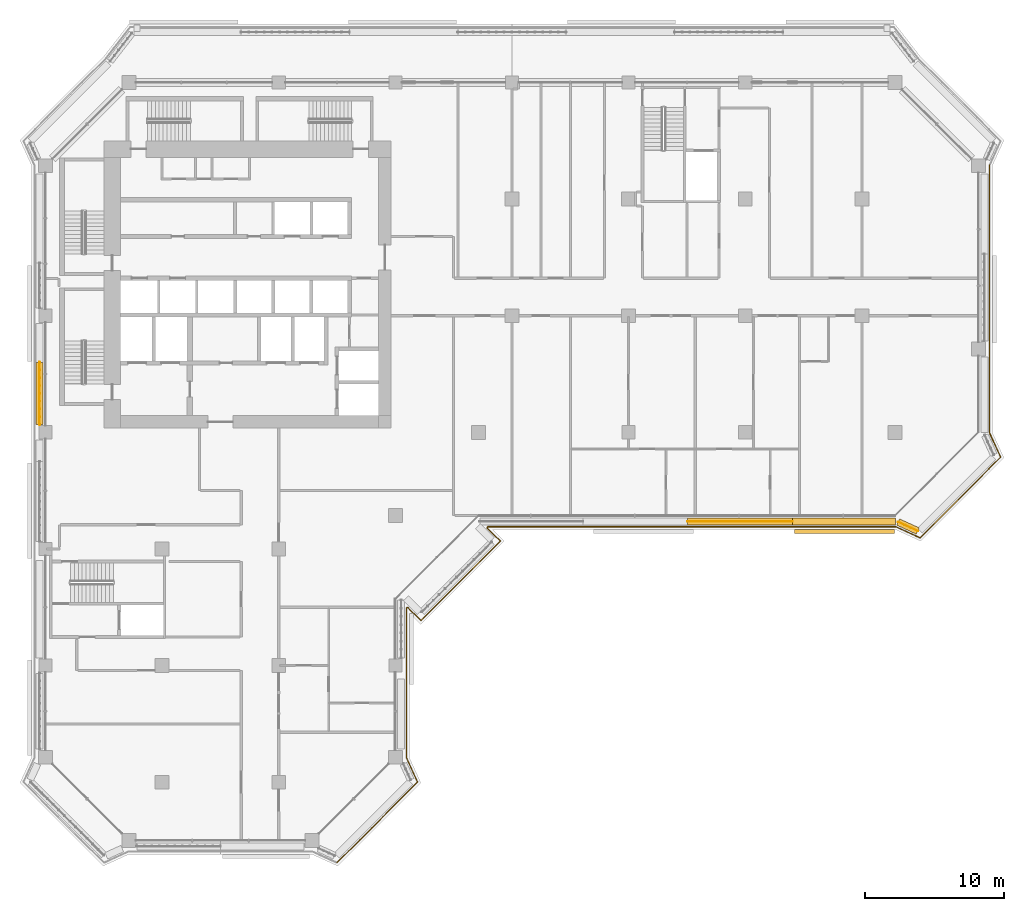
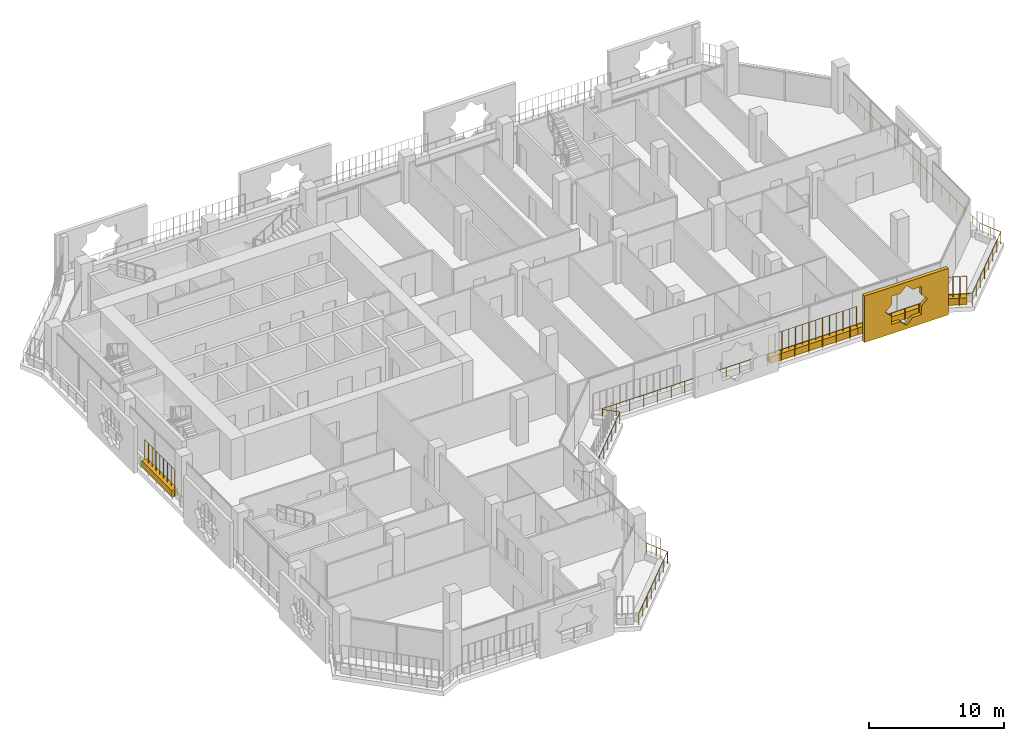
# One storey, part 19 of 22: 5 coverings, 4 railings.
"""IFC4 building model written with IfcOpenShell, lengths in metres."""

import ifcopenshell
import ifcopenshell.guid

model = None  # the IFC model being written
_history = None  # IfcOwnerHistory: only IFC2X3 demands one
_inside = {}  # id of a spatial element -> (the spatial element, [elements in it])
_under = {}  # id of a project, library or spatial element -> (it, [spatial elements below it])
_declared = {}  # id of a project -> (the project, [libraries it declares])
_typed = {}  # id of a type object -> (the type object, [elements of that type])
_made_of = {}  # id of a material, layer set ... -> (it, [elements and type objects made of it])


def new_model(schema):
    """Start an empty IFC model of exactly this schema.

    Asked for "IFC4X3", IfcOpenShell would pick the latest addendum, in which some entities
    have other attributes; the version numbers below select the first issue.
    IFC2X3 requires an IfcOwnerHistory on every rooted entity: one is made here for all.
    """
    global model, _history
    if schema == "IFC4X3":
        model = ifcopenshell.file(schema_version=(4, 3, 0, 0))
    else:
        model = ifcopenshell.file(schema=schema)
    _inside.clear()
    _under.clear()
    _declared.clear()
    _typed.clear()
    _made_of.clear()
    _history = None
    if model.schema == "IFC2X3":
        org = make("IfcOrganization", Name="unknown")
        user = make(
            "IfcPersonAndOrganization",
            ThePerson=make("IfcPerson", FamilyName="unknown"),
            TheOrganization=org,
        )
        app = make(
            "IfcApplication",
            ApplicationDeveloper=org,
            Version="unknown",
            ApplicationFullName="unknown",
            ApplicationIdentifier="unknown",
        )
        _history = make(
            "IfcOwnerHistory",
            OwningUser=user,
            OwningApplication=app,
            ChangeAction="ADDED",
            CreationDate=0,
        )
    return model


def make(cls, **values):
    """One entity of the class cls with the attributes given. An attribute that is None is left unset."""
    return model.create_entity(
        cls, **{name: value for name, value in values.items() if value is not None}
    )


def rooted(cls, **values):
    """An entity with a GlobalId (a new one), such as an element, a storey or a relation."""
    return make(cls, GlobalId=ifcopenshell.guid.new(), OwnerHistory=_history, **values)


def si_unit(unit_type, name, prefix=None):
    """IfcSIUnit, for example si_unit("LENGTHUNIT", "METRE", prefix="MILLI")."""
    return make("IfcSIUnit", UnitType=unit_type, Prefix=prefix, Name=name)


def assignment(units):
    """IfcUnitAssignment: the units of a project."""
    return None if units is None else make("IfcUnitAssignment", Units=units)


def point(xyz):
    """IfcCartesianPoint."""
    return None if xyz is None else make("IfcCartesianPoint", Coordinates=xyz)


def direction(xyz):
    """IfcDirection."""
    return None if xyz is None else make("IfcDirection", DirectionRatios=xyz)


def frame(location, z_axis=None, x_axis=None):
    """IfcAxis2Placement3D, a coordinate frame: its origin and axes. An axis left out is left unset."""
    return make(
        "IfcAxis2Placement3D",
        Location=point(location),
        Axis=direction(z_axis),
        RefDirection=direction(x_axis),
    )


def frame_2d(location, x_axis=None):
    """IfcAxis2Placement2D, a coordinate frame in the plane: its origin and x axis."""
    return make(
        "IfcAxis2Placement2D", Location=point(location), RefDirection=direction(x_axis)
    )


def origin():
    """The frame at (0, 0, 0) with its axes left unset."""
    return frame((0.0, 0.0, 0.0))


def origin_2d():
    """The frame at (0, 0) in the plane with its x axis left unset."""
    return frame_2d((0.0, 0.0))


def place(relative_to, where):
    """IfcLocalPlacement: puts the frame where relative to a parent placement (None: the world)."""
    return make(
        "IfcLocalPlacement", PlacementRelTo=relative_to, RelativePlacement=where
    )


def context(
    kind, dimensions, precision=None, world=None, true_north=None, identifier=None
):
    """IfcGeometricRepresentationContext, for example the 3D "Model" context."""
    return make(
        "IfcGeometricRepresentationContext",
        ContextIdentifier=identifier,
        ContextType=kind,
        CoordinateSpaceDimension=dimensions,
        Precision=precision,
        WorldCoordinateSystem=world,
        TrueNorth=true_north,
    )


def subcontext(parent, identifier, kind, view, scale=None):
    """IfcGeometricRepresentationSubContext, for example "Body" below "Model"."""
    return make(
        "IfcGeometricRepresentationSubContext",
        ContextIdentifier=identifier,
        ContextType=kind,
        ParentContext=parent,
        TargetScale=scale,
        TargetView=view,
    )


def project(units=None, contexts=None):
    """IfcProject with its units and contexts."""
    return rooted(
        "IfcProject",
        Name="project",
        RepresentationContexts=contexts,
        UnitsInContext=assignment(units),
    )


def spatial(cls, under=None, at=None, **own):
    """A site, building, storey or space (cls), placed at a placement, below another one or the project."""
    s = rooted(cls, ObjectPlacement=at, **own)
    if under is not None:
        _under.setdefault(under.id(), (under, []))[1].append(s)
    return s


def polyline(points):
    """IfcPolyline through the points."""
    return make("IfcPolyline", Points=[point(p) for p in points])


def profile(cls, at=None, kind="AREA", **sizes):
    """A parametric profile (cls). Its sizes go by their IFC names, for example OverallWidth=200.0."""
    return make(cls, ProfileType=kind, Position=at, **sizes)


def rectangle(**sizes):
    """IfcRectangleProfileDef."""
    return profile("IfcRectangleProfileDef", **sizes)


def circle(**sizes):
    """IfcCircleProfileDef."""
    return profile("IfcCircleProfileDef", **sizes)


def outline(outer, holes=None, kind="AREA"):
    """IfcArbitraryClosedProfileDef: a profile drawn as a closed curve; with holes, ...WithVoids."""
    if holes is None:
        return make("IfcArbitraryClosedProfileDef", ProfileType=kind, OuterCurve=outer)
    return make(
        "IfcArbitraryProfileDefWithVoids",
        ProfileType=kind,
        OuterCurve=outer,
        InnerCurves=holes,
    )


def extrude(swept, where, along, depth):
    """IfcExtrudedAreaSolid: the profile swept, set in the frame where, extruded along a direction by depth."""
    return make(
        "IfcExtrudedAreaSolid",
        SweptArea=swept,
        Position=where,
        ExtrudedDirection=direction(along),
        Depth=depth,
    )


def shape(context_of_items, identifier, shape_type, items):
    """IfcShapeRepresentation: the items that make up one representation, for example the "Body"."""
    return make(
        "IfcShapeRepresentation",
        ContextOfItems=context_of_items,
        RepresentationIdentifier=identifier,
        RepresentationType=shape_type,
        Items=items,
    )


def material(Name=None, Category=None):
    """IfcMaterial."""
    return make("IfcMaterial", Name=Name, Category=Category)


def material_profile(
    of_material, cross_section, Name=None, Category=None, Priority=None
):
    """IfcMaterialProfile: a cross section and its material."""
    return make(
        "IfcMaterialProfile",
        Name=Name,
        Material=of_material,
        Profile=cross_section,
        Priority=Priority,
        Category=Category,
    )


def profile_set(profiles, Name=None, composite=None):
    """IfcMaterialProfileSet."""
    return make(
        "IfcMaterialProfileSet",
        Name=Name,
        MaterialProfiles=profiles,
        CompositeProfile=composite,
    )


def made_of(thing, what):
    """Note that an element or type object is made of a material, layer set ...; save() writes the relation."""
    if what is not None:
        _made_of.setdefault(what.id(), (what, []))[1].append(thing)
    return thing


def type_object(cls, material=None, **own):
    """A type object (cls), such as IfcWallType, which elements share."""
    return made_of(rooted(cls, **own), material)


def element(
    cls,
    number,
    at=None,
    inside=None,
    cuts=None,
    type_object=None,
    material=None,
    context=None,
    identifier="Body",
    shape_type=None,
    held_by="IfcProductDefinitionShape",
    body=None,
    shapes=None,
    **own,
):
    """One element of the class cls, such as IfcWall. Its Tag is "e" and its number.

    at: its placement. inside: the storey or other place that contains it. cuts: it is an
    opening in that element (IfcRelVoidsElement). A single representation is given by context,
    identifier, shape_type and body (its items); several are given by shapes. held_by: the class
    of the entity that holds the representations. save() writes the other relations.
    """
    e = rooted(cls, Tag="e%d" % number, ObjectPlacement=at, **own)
    if body is not None:
        shapes = [shape(context, identifier, shape_type, body)]
    if shapes is not None:
        e.Representation = make(held_by, Representations=shapes)
    if inside is not None:
        _inside.setdefault(inside.id(), (inside, []))[1].append(e)
    if cuts is not None:
        rooted(
            "IfcRelVoidsElement", RelatingBuildingElement=cuts, RelatedOpeningElement=e
        )
    if type_object is not None:
        _typed.setdefault(type_object.id(), (type_object, []))[1].append(e)
    return made_of(e, material)


def aggregate(whole, parts):
    """IfcRelAggregates: a whole, such as a stair, and the parts it consists of."""
    return rooted("IfcRelAggregates", RelatingObject=whole, RelatedObjects=parts)


def save(model, path):
    """Write the relations noted so far, then the file.

    IfcRelAggregates (storeys below a building ...), IfcRelContainedInSpatialStructure (elements
    in a storey), IfcRelDefinesByType, IfcRelAssociatesMaterial and IfcRelDeclares: one each for
    every whole, place, type object, material and project.
    """
    for whole, parts in _under.values():
        aggregate(whole, parts)
    for where, things in _inside.values():
        rooted(
            "IfcRelContainedInSpatialStructure",
            RelatedElements=things,
            RelatingStructure=where,
        )
    for kind, things in _typed.values():
        rooted("IfcRelDefinesByType", RelatedObjects=things, RelatingType=kind)
    for what, things in _made_of.values():
        rooted("IfcRelAssociatesMaterial", RelatedObjects=things, RelatingMaterial=what)
    for by, libraries in _declared.values():
        rooted("IfcRelDeclares", RelatingContext=by, RelatedDefinitions=libraries)
    model.write(path)


model = new_model("IFC4")

# Units and contexts
model_context = context("Model", 3, precision=1e-05, world=origin(), true_north=direction((0.0, 1.0)))
body_context = subcontext(model_context, "Body", "Model", "MODEL_VIEW")
ifc_project = project(units=[si_unit("LENGTHUNIT", "METRE"), si_unit("AREAUNIT", "SQUARE_METRE"), si_unit("VOLUMEUNIT", "CUBIC_METRE"), si_unit("PLANEANGLEUNIT", "RADIAN"), si_unit("MASSUNIT", "GRAM", prefix="KILO")], contexts=[model_context])

# Site, building, storey
site_placement = place(None, origin())
site = spatial("IfcSite", under=ifc_project, at=site_placement, CompositionType="ELEMENT")
building_placement = place(site_placement, origin())
building = spatial("IfcBuilding", under=site, at=building_placement, Name="Kawkab Arch Medical Tower", CompositionType="ELEMENT")
storey_placement = place(building_placement, frame((0.0, 0.0, 204.60009765625)))
storey = spatial("IfcBuildingStorey", under=building, at=storey_placement, Name="L47", CompositionType="ELEMENT", Elevation=204.60009765625)

# Railing
ifc_material_1 = material(Name="Bronze anodised aluminium guard", Category="aluminium")
railing_type_1 = type_object("IfcRailingType", Name="Loggia and terrace guard 1100", PredefinedType="GUARDRAIL", material=ifc_material_1)
railing_1_placement = place(storey_placement, frame((68.0, -5.95703125, 0.0)))
element("IfcRailing", 1, at=railing_1_placement, inside=storey, type_object=railing_type_1, Name="Guard L47.LOG-01.1.2", PredefinedType="GUARDRAIL", context=body_context, shape_type="SweptSolid", body=[
    extrude(circle(Radius=0.02392578125, at=origin_2d()), frame((0.0, 0.0, 1.076171875), z_axis=(0.0, -1.0, 0.0), x_axis=(1.0, 0.0, 0.0)), (0.0, 0.0, 1.0), 19.285888671875),
    extrude(circle(Radius=0.02392578125, at=origin_2d()), frame((0.0, -19.285888671875, 1.076171875), z_axis=(0.414509773934, -0.910044860056, 0.0), x_axis=(0.910044860056, 0.414509773934, 0.0)), (0.0, 0.0, 1.0), 1.92529296875),
    extrude(circle(Radius=0.02392578125, at=origin_2d()), frame((0.798095703125, -21.0380859375, 1.076171875), z_axis=(-0.707106781187, -0.707106781187, 0.0), x_axis=(0.707106781187, -0.707106781187, 0.0)), (0.0, 0.0, 1.0), 8.20654296875),
    extrude(circle(Radius=0.02392578125, at=origin_2d()), frame((-5.0048828125, -26.841064453125, 1.076171875), z_axis=(-0.910044860056, 0.414509773934, 0.0), x_axis=(-0.414509773934, -0.910044860056, 0.0)), (0.0, 0.0, 1.0), 1.92529296875),
    extrude(circle(Radius=0.02392578125, at=origin_2d()), frame((-6.757080078125, -26.04296875, 1.076171875), z_axis=(-1.0, 0.0, 0.0), x_axis=(0.0, -1.0, 0.0)), (0.0, 0.0, 1.0), 29.392822265625),
    extrude(circle(Radius=0.02392578125, at=origin_2d()), frame((-36.14990234375, -26.04296875, 1.076171875), z_axis=(-0.383763674343, -0.923431341387, 0.0), x_axis=(0.923431341387, -0.383763674343, 0.0)), (0.0, 0.0, 1.0), 0.101806640625),
    extrude(circle(Radius=0.02392578125, at=origin_2d()), frame((-36.18896484375, -26.136962890625, 1.076171875), z_axis=(0.707015335112, -0.707198215437, 0.0), x_axis=(0.707198215437, 0.707015335112, 0.0)), (0.0, 0.0, 1.0), 1.3349609375),
    extrude(circle(Radius=0.02392578125, at=origin_2d()), frame((-35.2451171875, -27.0810546875, 1.076171875), z_axis=(-0.707106781187, -0.707106781187, 0.0), x_axis=(0.707106781187, -0.707106781187, 0.0)), (0.0, 0.0, 1.0), 8.084716796875),
    extrude(circle(Radius=0.02392578125, at=origin_2d()), frame((-40.9619140625, -32.7978515625, 1.076171875), z_axis=(-0.707198215437, 0.707015335112, 0.0), x_axis=(-0.707015335112, -0.707198215437, 0.0)), (0.0, 0.0, 1.0), 1.3349609375),
    extrude(circle(Radius=0.02392578125, at=origin_2d()), frame((-41.906005859375, -31.85400390625, 1.076171875), z_axis=(-0.923431341387, -0.383763674343, 0.0), x_axis=(0.383763674343, -0.923431341387, 0.0)), (0.0, 0.0, 1.0), 0.101806640625),
    extrude(circle(Radius=0.02392578125, at=origin_2d()), frame((-42.0, -31.89306640625, 1.076171875), z_axis=(0.0, -1.0, 0.0), x_axis=(1.0, 0.0, 0.0)), (0.0, 0.0, 1.0), 10.79296875),
    extrude(circle(Radius=0.02392578125, at=origin_2d()), frame((-42.0, -42.68603515625, 1.076171875), z_axis=(0.414557610759, -0.910023069687, 0.0), x_axis=(0.910023069687, 0.414557610759, 0.0)), (0.0, 0.0, 1.0), 1.92529296875),
    extrude(circle(Radius=0.02392578125, at=origin_2d()), frame((-41.201904296875, -44.43798828125, 1.076171875), z_axis=(-0.707106781187, -0.707106781187, 0.0), x_axis=(0.707106781187, -0.707106781187, 0.0)), (0.0, 0.0, 1.0), 8.20654296875),
    extrude(circle(Radius=0.02099609375, at=origin_2d()), origin(), (0.0, 0.0, 1.0), 1.052001953125),
    extrude(circle(Radius=0.02099609375, at=origin_2d()), frame((0.0, -1.134521484375, 0.0)), (0.0, 0.0, 1.0), 1.052001953125),
    extrude(circle(Radius=0.02099609375, at=origin_2d()), frame((0.0, -2.26904296875, 0.0)), (0.0, 0.0, 1.0), 1.052001953125),
    extrude(circle(Radius=0.02099609375, at=origin_2d()), frame((0.0, -3.4033203125, 0.0)), (0.0, 0.0, 1.0), 1.052001953125),
    extrude(circle(Radius=0.02099609375, at=origin_2d()), frame((0.0, -4.537841796875, 0.0)), (0.0, 0.0, 1.0), 1.052001953125),
    extrude(circle(Radius=0.02099609375, at=origin_2d()), frame((0.0, -5.67236328125, 0.0)), (0.0, 0.0, 1.0), 1.052001953125),
    extrude(circle(Radius=0.02099609375, at=origin_2d()), frame((0.0, -6.806884765625, 0.0)), (0.0, 0.0, 1.0), 1.052001953125),
    extrude(circle(Radius=0.02099609375, at=origin_2d()), frame((0.0, -7.941162109375, 0.0)), (0.0, 0.0, 1.0), 1.052001953125),
    extrude(circle(Radius=0.02099609375, at=origin_2d()), frame((0.0, -9.07568359375, 0.0)), (0.0, 0.0, 1.0), 1.052001953125),
    extrude(circle(Radius=0.02099609375, at=origin_2d()), frame((0.0, -10.210205078125, 0.0)), (0.0, 0.0, 1.0), 1.052001953125),
    extrude(circle(Radius=0.02099609375, at=origin_2d()), frame((0.0, -11.3447265625, 0.0)), (0.0, 0.0, 1.0), 1.052001953125),
    extrude(circle(Radius=0.02099609375, at=origin_2d()), frame((0.0, -12.47900390625, 0.0)), (0.0, 0.0, 1.0), 1.052001953125),
    extrude(circle(Radius=0.02099609375, at=origin_2d()), frame((0.0, -13.613525390625, 0.0)), (0.0, 0.0, 1.0), 1.052001953125),
    extrude(circle(Radius=0.02099609375, at=origin_2d()), frame((0.0, -14.748046875, 0.0)), (0.0, 0.0, 1.0), 1.052001953125),
    extrude(circle(Radius=0.02099609375, at=origin_2d()), frame((0.0, -15.882568359375, 0.0)), (0.0, 0.0, 1.0), 1.052001953125),
    extrude(circle(Radius=0.02099609375, at=origin_2d()), frame((0.0, -17.016845703125, 0.0)), (0.0, 0.0, 1.0), 1.052001953125),
    extrude(circle(Radius=0.02099609375, at=origin_2d()), frame((0.0, -18.1513671875, 0.0)), (0.0, 0.0, 1.0), 1.052001953125),
    extrude(circle(Radius=0.02099609375, at=origin_2d()), frame((0.0, -19.285888671875, 0.0)), (0.0, 0.0, 1.0), 1.052001953125),
    extrude(circle(Radius=0.02099609375, at=origin_2d()), frame((0.39892578125, -20.162109375, 0.0)), (0.0, 0.0, 1.0), 1.052001953125),
    extrude(circle(Radius=0.02099609375, at=origin_2d()), frame((0.798095703125, -21.0380859375, 0.0)), (0.0, 0.0, 1.0), 1.052001953125),
    extrude(circle(Radius=0.02099609375, at=origin_2d()), frame((-0.031005859375, -21.8671875, 0.0)), (0.0, 0.0, 1.0), 1.052001953125),
    extrude(circle(Radius=0.02099609375, at=origin_2d()), frame((-0.85986328125, -22.696044921875, 0.0)), (0.0, 0.0, 1.0), 1.052001953125),
    extrude(circle(Radius=0.02099609375, at=origin_2d()), frame((-1.68896484375, -23.525146484375, 0.0)), (0.0, 0.0, 1.0), 1.052001953125),
    extrude(circle(Radius=0.02099609375, at=origin_2d()), frame((-2.517822265625, -24.35400390625, 0.0)), (0.0, 0.0, 1.0), 1.052001953125),
    extrude(circle(Radius=0.02099609375, at=origin_2d()), frame((-3.346923828125, -25.18310546875, 0.0)), (0.0, 0.0, 1.0), 1.052001953125),
    extrude(circle(Radius=0.02099609375, at=origin_2d()), frame((-4.17578125, -26.011962890625, 0.0)), (0.0, 0.0, 1.0), 1.052001953125),
    extrude(circle(Radius=0.02099609375, at=origin_2d()), frame((-5.0048828125, -26.841064453125, 0.0)), (0.0, 0.0, 1.0), 1.052001953125),
    extrude(circle(Radius=0.02099609375, at=origin_2d()), frame((-5.880859375, -26.44189453125, 0.0)), (0.0, 0.0, 1.0), 1.052001953125),
    extrude(circle(Radius=0.02099609375, at=origin_2d()), frame((-6.757080078125, -26.04296875, 0.0)), (0.0, 0.0, 1.0), 1.052001953125),
    extrude(circle(Radius=0.02099609375, at=origin_2d()), frame((-7.932861328125, -26.04296875, 0.0)), (0.0, 0.0, 1.0), 1.052001953125),
    extrude(circle(Radius=0.02099609375, at=origin_2d()), frame((-9.1083984375, -26.04296875, 0.0)), (0.0, 0.0, 1.0), 1.052001953125),
    extrude(circle(Radius=0.02099609375, at=origin_2d()), frame((-10.2841796875, -26.04296875, 0.0)), (0.0, 0.0, 1.0), 1.052001953125),
    extrude(circle(Radius=0.02099609375, at=origin_2d()), frame((-11.4599609375, -26.04296875, 0.0)), (0.0, 0.0, 1.0), 1.052001953125),
    extrude(circle(Radius=0.02099609375, at=origin_2d()), frame((-12.6357421875, -26.04296875, 0.0)), (0.0, 0.0, 1.0), 1.052001953125),
    extrude(circle(Radius=0.02099609375, at=origin_2d()), frame((-13.811279296875, -26.04296875, 0.0)), (0.0, 0.0, 1.0), 1.052001953125),
    extrude(circle(Radius=0.02099609375, at=origin_2d()), frame((-14.987060546875, -26.04296875, 0.0)), (0.0, 0.0, 1.0), 1.052001953125),
    extrude(circle(Radius=0.02099609375, at=origin_2d()), frame((-16.162841796875, -26.04296875, 0.0)), (0.0, 0.0, 1.0), 1.052001953125),
    extrude(circle(Radius=0.02099609375, at=origin_2d()), frame((-17.33837890625, -26.04296875, 0.0)), (0.0, 0.0, 1.0), 1.052001953125),
    extrude(circle(Radius=0.02099609375, at=origin_2d()), frame((-18.51416015625, -26.04296875, 0.0)), (0.0, 0.0, 1.0), 1.052001953125),
    extrude(circle(Radius=0.02099609375, at=origin_2d()), frame((-19.68994140625, -26.04296875, 0.0)), (0.0, 0.0, 1.0), 1.052001953125),
    extrude(circle(Radius=0.02099609375, at=origin_2d()), frame((-20.86572265625, -26.04296875, 0.0)), (0.0, 0.0, 1.0), 1.052001953125),
    extrude(circle(Radius=0.02099609375, at=origin_2d()), frame((-22.041259765625, -26.04296875, 0.0)), (0.0, 0.0, 1.0), 1.052001953125),
    extrude(circle(Radius=0.02099609375, at=origin_2d()), frame((-23.217041015625, -26.04296875, 0.0)), (0.0, 0.0, 1.0), 1.052001953125),
    extrude(circle(Radius=0.02099609375, at=origin_2d()), frame((-24.392822265625, -26.04296875, 0.0)), (0.0, 0.0, 1.0), 1.052001953125),
    extrude(circle(Radius=0.02099609375, at=origin_2d()), frame((-25.568603515625, -26.04296875, 0.0)), (0.0, 0.0, 1.0), 1.052001953125),
    extrude(circle(Radius=0.02099609375, at=origin_2d()), frame((-26.744140625, -26.04296875, 0.0)), (0.0, 0.0, 1.0), 1.052001953125),
    extrude(circle(Radius=0.02099609375, at=origin_2d()), frame((-27.919921875, -26.04296875, 0.0)), (0.0, 0.0, 1.0), 1.052001953125),
    extrude(circle(Radius=0.02099609375, at=origin_2d()), frame((-29.095703125, -26.04296875, 0.0)), (0.0, 0.0, 1.0), 1.052001953125),
    extrude(circle(Radius=0.02099609375, at=origin_2d()), frame((-30.271240234375, -26.04296875, 0.0)), (0.0, 0.0, 1.0), 1.052001953125),
    extrude(circle(Radius=0.02099609375, at=origin_2d()), frame((-31.447021484375, -26.04296875, 0.0)), (0.0, 0.0, 1.0), 1.052001953125),
    extrude(circle(Radius=0.02099609375, at=origin_2d()), frame((-32.622802734375, -26.04296875, 0.0)), (0.0, 0.0, 1.0), 1.052001953125),
    extrude(circle(Radius=0.02099609375, at=origin_2d()), frame((-33.798583984375, -26.04296875, 0.0)), (0.0, 0.0, 1.0), 1.052001953125),
    extrude(circle(Radius=0.02099609375, at=origin_2d()), frame((-34.97412109375, -26.04296875, 0.0)), (0.0, 0.0, 1.0), 1.052001953125),
    extrude(circle(Radius=0.02099609375, at=origin_2d()), frame((-36.14990234375, -26.04296875, 0.0)), (0.0, 0.0, 1.0), 1.052001953125),
    extrude(circle(Radius=0.02099609375, at=origin_2d()), frame((-36.18896484375, -26.136962890625, 0.0)), (0.0, 0.0, 1.0), 1.052001953125),
    extrude(circle(Radius=0.02099609375, at=origin_2d()), frame((-35.717041015625, -26.60888671875, 0.0)), (0.0, 0.0, 1.0), 1.052001953125),
    extrude(circle(Radius=0.02099609375, at=origin_2d()), frame((-35.2451171875, -27.0810546875, 0.0)), (0.0, 0.0, 1.0), 1.052001953125),
    extrude(circle(Radius=0.02099609375, at=origin_2d()), frame((-36.061767578125, -27.897705078125, 0.0)), (0.0, 0.0, 1.0), 1.052001953125),
    extrude(circle(Radius=0.02099609375, at=origin_2d()), frame((-36.87841796875, -28.71435546875, 0.0)), (0.0, 0.0, 1.0), 1.052001953125),
    extrude(circle(Radius=0.02099609375, at=origin_2d()), frame((-37.695068359375, -29.531005859375, 0.0)), (0.0, 0.0, 1.0), 1.052001953125),
    extrude(circle(Radius=0.02099609375, at=origin_2d()), frame((-38.511962890625, -30.347900390625, 0.0)), (0.0, 0.0, 1.0), 1.052001953125),
    extrude(circle(Radius=0.02099609375, at=origin_2d()), frame((-39.32861328125, -31.16455078125, 0.0)), (0.0, 0.0, 1.0), 1.052001953125),
    extrude(circle(Radius=0.02099609375, at=origin_2d()), frame((-40.145263671875, -31.981201171875, 0.0)), (0.0, 0.0, 1.0), 1.052001953125),
    extrude(circle(Radius=0.02099609375, at=origin_2d()), frame((-40.9619140625, -32.7978515625, 0.0)), (0.0, 0.0, 1.0), 1.052001953125),
    extrude(circle(Radius=0.02099609375, at=origin_2d()), frame((-41.43408203125, -32.325927734375, 0.0)), (0.0, 0.0, 1.0), 1.052001953125),
    extrude(circle(Radius=0.02099609375, at=origin_2d()), frame((-41.906005859375, -31.85400390625, 0.0)), (0.0, 0.0, 1.0), 1.052001953125),
    extrude(circle(Radius=0.02099609375, at=origin_2d()), frame((-42.0, -31.89306640625, 0.0)), (0.0, 0.0, 1.0), 1.052001953125),
    extrude(circle(Radius=0.02099609375, at=origin_2d()), frame((-42.0, -33.09228515625, 0.0)), (0.0, 0.0, 1.0), 1.052001953125),
    extrude(circle(Radius=0.02099609375, at=origin_2d()), frame((-42.0, -34.29150390625, 0.0)), (0.0, 0.0, 1.0), 1.052001953125),
    extrude(circle(Radius=0.02099609375, at=origin_2d()), frame((-42.0, -35.49072265625, 0.0)), (0.0, 0.0, 1.0), 1.052001953125),
    extrude(circle(Radius=0.02099609375, at=origin_2d()), frame((-42.0, -36.68994140625, 0.0)), (0.0, 0.0, 1.0), 1.052001953125),
    extrude(circle(Radius=0.02099609375, at=origin_2d()), frame((-42.0, -37.88916015625, 0.0)), (0.0, 0.0, 1.0), 1.052001953125),
    extrude(circle(Radius=0.02099609375, at=origin_2d()), frame((-42.0, -39.08837890625, 0.0)), (0.0, 0.0, 1.0), 1.052001953125),
    extrude(circle(Radius=0.02099609375, at=origin_2d()), frame((-42.0, -40.28759765625, 0.0)), (0.0, 0.0, 1.0), 1.052001953125),
    extrude(circle(Radius=0.02099609375, at=origin_2d()), frame((-42.0, -41.48681640625, 0.0)), (0.0, 0.0, 1.0), 1.052001953125),
    extrude(circle(Radius=0.02099609375, at=origin_2d()), frame((-42.0, -42.68603515625, 0.0)), (0.0, 0.0, 1.0), 1.052001953125),
    extrude(circle(Radius=0.02099609375, at=origin_2d()), frame((-41.60107421875, -43.56201171875, 0.0)), (0.0, 0.0, 1.0), 1.052001953125),
    extrude(circle(Radius=0.02099609375, at=origin_2d()), frame((-41.201904296875, -44.43798828125, 0.0)), (0.0, 0.0, 1.0), 1.052001953125),
    extrude(circle(Radius=0.02099609375, at=origin_2d()), frame((-42.031005859375, -45.26708984375, 0.0)), (0.0, 0.0, 1.0), 1.052001953125),
    extrude(circle(Radius=0.02099609375, at=origin_2d()), frame((-42.85986328125, -46.095947265625, 0.0)), (0.0, 0.0, 1.0), 1.052001953125),
    extrude(circle(Radius=0.02099609375, at=origin_2d()), frame((-43.68896484375, -46.925048828125, 0.0)), (0.0, 0.0, 1.0), 1.052001953125),
    extrude(circle(Radius=0.02099609375, at=origin_2d()), frame((-44.517822265625, -47.75390625, 0.0)), (0.0, 0.0, 1.0), 1.052001953125),
    extrude(circle(Radius=0.02099609375, at=origin_2d()), frame((-45.346923828125, -48.5830078125, 0.0)), (0.0, 0.0, 1.0), 1.052001953125),
    extrude(circle(Radius=0.02099609375, at=origin_2d()), frame((-46.17578125, -49.411865234375, 0.0)), (0.0, 0.0, 1.0), 1.052001953125),
    extrude(circle(Radius=0.02099609375, at=origin_2d()), frame((-47.0048828125, -50.240966796875, 0.0)), (0.0, 0.0, 1.0), 1.052001953125),
])

# Coverings
ifc_material_2 = material(Name="Bronze anodised aluminium mashrabiya panel, eight-point star pattern", Category="aluminium")
ifc_material_profile_1 = material_profile(ifc_material_2, outline(polyline([(-3.60009765625, -2.10009765625), (3.60009765625, -2.10009765625), (3.60009765625, 2.10009765625), (-3.60009765625, 2.10009765625), (-3.60009765625, -2.10009765625)]), holes=[polyline([(1.800048828125, 0.0), (1.272705078125, 0.527099609375), (1.272705078125, 1.272705078125), (0.527099609375, 1.272705078125), (0.0, 1.800048828125), (-0.527099609375, 1.272705078125), (-1.272705078125, 1.272705078125), (-1.272705078125, 0.527099609375), (-1.800048828125, 0.0), (-1.272705078125, -0.527099609375), (-1.272705078125, -1.272705078125), (-0.527099609375, -1.272705078125), (0.0, -1.800048828125), (0.527099609375, -1.272705078125), (1.272705078125, -1.272705078125), (1.272705078125, -0.527099609375), (1.800048828125, 0.0)])]), Name="Mashrabiya panel 7200x4200")
ifc_profile_set_1 = profile_set([ifc_material_profile_1], Name="Bronze anodised aluminium mashrabiya panel, eight-point star pattern")
covering_type_1 = type_object("IfcCoveringType", Name="Mashrabiya panel 7200 x 4200", PredefinedType="USERDEFINED", material=ifc_profile_set_1)
covering_1_placement = place(storey_placement, frame((57.5546875, -32.199951171875, 1.699951171875), z_axis=(0.0, -1.0, 0.0), x_axis=(1.0, 0.0, 0.0)))
element("IfcCovering", 2, at=covering_1_placement, inside=storey, type_object=covering_type_1, Name="Mashrabiya panel L47.LOG-01-01.10", ObjectType="SCREEN", PredefinedType="USERDEFINED", context=body_context, shape_type="SweptSolid", body=[
    extrude(outline(polyline([(-3.60009765625, -2.10009765625), (3.60009765625, -2.10009765625), (3.60009765625, 2.10009765625), (-3.60009765625, 2.10009765625), (-3.60009765625, -2.10009765625)]), holes=[polyline([(1.800048828125, 0.0), (1.272705078125, 0.527099609375), (1.272705078125, 1.272705078125), (0.527099609375, 1.272705078125), (0.0, 1.800048828125), (-0.527099609375, 1.272705078125), (-1.272705078125, 1.272705078125), (-1.272705078125, 0.527099609375), (-1.800048828125, 0.0), (-1.272705078125, -0.527099609375), (-1.272705078125, -1.272705078125), (-0.527099609375, -1.272705078125), (0.0, -1.800048828125), (0.527099609375, -1.272705078125), (1.272705078125, -1.272705078125), (1.272705078125, -0.527099609375), (1.800048828125, 0.0)])]), origin(), (0.0, 0.0, 1.0), 0.300048828125),
])
ifc_material_3 = material(Name="Planting soil in a precast trough", Category="concrete")
ifc_material_profile_2 = material_profile(ifc_material_3, rectangle(XDim=0.5, YDim=0.60009765625, at=origin_2d()), Name="Trough 500x600")
ifc_profile_set_2 = profile_set([ifc_material_profile_2], Name="Planting soil in a precast trough")
covering_type_2 = type_object("IfcCoveringType", Name="Planter trough 500 x 600", PredefinedType="USERDEFINED", material=ifc_profile_set_2)
covering_2_placement = place(storey_placement, frame((-0.419921875, -24.64501953125, 0.2998046875), z_axis=(0.0, 1.0, 0.0), x_axis=(-1.0, 0.0, 0.0)))
element("IfcCovering", 3, at=covering_2_placement, inside=storey, type_object=covering_type_2, Name="Planter L47.LOG-01-01.11", ObjectType="PLANTER", PredefinedType="USERDEFINED", context=body_context, shape_type="SweptSolid", body=[
    extrude(rectangle(XDim=0.5, YDim=0.60009765625, at=origin_2d()), origin(), (0.0, 0.0, 1.0), 4.487060546875),
])
covering_3_placement = place(storey_placement, frame((62.821044921875, -32.302001953125, 0.2998046875), z_axis=(-0.909655525109, 0.415363486165, 0.0), x_axis=(-0.415363486165, -0.909655525109, 0.0)))
element("IfcCovering", 4, at=covering_3_placement, inside=storey, type_object=covering_type_2, Name="Planter L47.LOG-01-01.33", ObjectType="PLANTER", PredefinedType="USERDEFINED", context=body_context, shape_type="SweptSolid", body=[
    extrude(rectangle(XDim=0.5, YDim=0.60009765625, at=origin_2d()), origin(), (0.0, 0.0, 1.0), 1.54345703125),
])
covering_4_placement = place(storey_placement, frame((61.22607421875, -31.6201171875, 0.2998046875), z_axis=(-1.0, 0.0, 0.0), x_axis=(0.0, -1.0, 0.0)))
element("IfcCovering", 5, at=covering_4_placement, inside=storey, type_object=covering_type_2, Name="Planter L47.LOG-01-01.34", ObjectType="PLANTER", PredefinedType="USERDEFINED", context=body_context, shape_type="SweptSolid", body=[
    extrude(rectangle(XDim=0.5, YDim=0.60009765625, at=origin_2d()), origin(), (0.0, 0.0, 1.0), 7.43505859375),
])
covering_5_placement = place(storey_placement, frame((53.791015625, -31.6201171875, 0.2998046875), z_axis=(-1.0, 0.0, 0.0), x_axis=(0.0, -1.0, 0.0)))
element("IfcCovering", 6, at=covering_5_placement, inside=storey, type_object=covering_type_2, Name="Planter L47.LOG-01-01.35", ObjectType="PLANTER", PredefinedType="USERDEFINED", context=body_context, shape_type="SweptSolid", body=[
    extrude(rectangle(XDim=0.5, YDim=0.60009765625, at=origin_2d()), origin(), (0.0, 0.0, 1.0), 7.5361328125),
])

# Railings
ifc_material_4 = material(Name="Bronze anodised aluminium trellis for climbing plants", Category="aluminium")
railing_type_2 = type_object("IfcRailingType", Name="Planting trellis 2400", PredefinedType="USERDEFINED", material=ifc_material_4)
railing_2_placement = place(storey_placement, frame((-0.419921875, -24.64501953125, 0.0)))
element("IfcRailing", 7, at=railing_2_placement, inside=storey, type_object=railing_type_2, Name="Planting trellis L47.LOG-01-01.11", ObjectType="TRELLIS", PredefinedType="USERDEFINED", context=body_context, shape_type="SweptSolid", body=[
    extrude(circle(Radius=0.01513671875, at=origin_2d()), frame((0.0, 0.0, 2.384765625), z_axis=(0.0, 1.0, 0.0), x_axis=(-1.0, 0.0, 0.0)), (0.0, 0.0, 1.0), 4.487060546875),
    extrude(circle(Radius=0.030029296875, at=origin_2d()), origin(), (0.0, 0.0, 1.0), 2.369873046875),
    extrude(circle(Radius=0.030029296875, at=origin_2d()), frame((0.0, 0.560791015625, 0.0)), (0.0, 0.0, 1.0), 2.369873046875),
    extrude(circle(Radius=0.030029296875, at=origin_2d()), frame((0.0, 1.121826171875, 0.0)), (0.0, 0.0, 1.0), 2.369873046875),
    extrude(circle(Radius=0.030029296875, at=origin_2d()), frame((0.0, 1.6826171875, 0.0)), (0.0, 0.0, 1.0), 2.369873046875),
    extrude(circle(Radius=0.030029296875, at=origin_2d()), frame((0.0, 2.24365234375, 0.0)), (0.0, 0.0, 1.0), 2.369873046875),
    extrude(circle(Radius=0.030029296875, at=origin_2d()), frame((0.0, 2.804443359375, 0.0)), (0.0, 0.0, 1.0), 2.369873046875),
    extrude(circle(Radius=0.030029296875, at=origin_2d()), frame((0.0, 3.365234375, 0.0)), (0.0, 0.0, 1.0), 2.369873046875),
    extrude(circle(Radius=0.030029296875, at=origin_2d()), frame((0.0, 3.92626953125, 0.0)), (0.0, 0.0, 1.0), 2.369873046875),
    extrude(circle(Radius=0.030029296875, at=origin_2d()), frame((0.0, 4.487060546875, 0.0)), (0.0, 0.0, 1.0), 2.369873046875),
])
railing_3_placement = place(storey_placement, frame((62.821044921875, -32.302001953125, 0.0)))
element("IfcRailing", 8, at=railing_3_placement, inside=storey, type_object=railing_type_2, Name="Planting trellis L47.LOG-01-01.33", ObjectType="TRELLIS", PredefinedType="USERDEFINED", context=body_context, shape_type="SweptSolid", body=[
    extrude(circle(Radius=0.01513671875, at=origin_2d()), frame((0.0, 0.0, 2.384765625), z_axis=(-0.909655525109, 0.415363486165, 0.0), x_axis=(-0.415363486165, -0.909655525109, 0.0)), (0.0, 0.0, 1.0), 1.54345703125),
    extrude(circle(Radius=0.030029296875, at=origin_2d()), origin(), (0.0, 0.0, 1.0), 2.369873046875),
    extrude(circle(Radius=0.030029296875, at=origin_2d()), frame((-0.468017578125, 0.213623046875, 0.0)), (0.0, 0.0, 1.0), 2.369873046875),
    extrude(circle(Radius=0.030029296875, at=origin_2d()), frame((-0.93603515625, 0.427490234375, 0.0)), (0.0, 0.0, 1.0), 2.369873046875),
    extrude(circle(Radius=0.030029296875, at=origin_2d()), frame((-1.404052734375, 0.64111328125, 0.0)), (0.0, 0.0, 1.0), 2.369873046875),
])
railing_4_placement = place(storey_placement, frame((53.791015625, -31.6201171875, 0.0)))
element("IfcRailing", 9, at=railing_4_placement, inside=storey, type_object=railing_type_2, Name="Planting trellis L47.LOG-01-01.35", ObjectType="TRELLIS", PredefinedType="USERDEFINED", context=body_context, shape_type="SweptSolid", body=[
    extrude(circle(Radius=0.01513671875, at=origin_2d()), frame((0.0, 0.0, 2.384765625), z_axis=(-1.0, 0.0, 0.0), x_axis=(0.0, -1.0, 0.0)), (0.0, 0.0, 1.0), 7.5361328125),
    extrude(circle(Radius=0.030029296875, at=origin_2d()), origin(), (0.0, 0.0, 1.0), 2.369873046875),
    extrude(circle(Radius=0.030029296875, at=origin_2d()), frame((-0.57958984375, 0.0, 0.0)), (0.0, 0.0, 1.0), 2.369873046875),
    extrude(circle(Radius=0.030029296875, at=origin_2d()), frame((-1.159423828125, 0.0, 0.0)), (0.0, 0.0, 1.0), 2.369873046875),
    extrude(circle(Radius=0.030029296875, at=origin_2d()), frame((-1.739013671875, 0.0, 0.0)), (0.0, 0.0, 1.0), 2.369873046875),
    extrude(circle(Radius=0.030029296875, at=origin_2d()), frame((-2.31884765625, 0.0, 0.0)), (0.0, 0.0, 1.0), 2.369873046875),
    extrude(circle(Radius=0.030029296875, at=origin_2d()), frame((-2.8984375, 0.0, 0.0)), (0.0, 0.0, 1.0), 2.369873046875),
    extrude(circle(Radius=0.030029296875, at=origin_2d()), frame((-3.478271484375, 0.0, 0.0)), (0.0, 0.0, 1.0), 2.369873046875),
    extrude(circle(Radius=0.030029296875, at=origin_2d()), frame((-4.057861328125, 0.0, 0.0)), (0.0, 0.0, 1.0), 2.369873046875),
    extrude(circle(Radius=0.030029296875, at=origin_2d()), frame((-4.6376953125, 0.0, 0.0)), (0.0, 0.0, 1.0), 2.369873046875),
    extrude(circle(Radius=0.030029296875, at=origin_2d()), frame((-5.21728515625, 0.0, 0.0)), (0.0, 0.0, 1.0), 2.369873046875),
    extrude(circle(Radius=0.030029296875, at=origin_2d()), frame((-5.797119140625, 0.0, 0.0)), (0.0, 0.0, 1.0), 2.369873046875),
    extrude(circle(Radius=0.030029296875, at=origin_2d()), frame((-6.376708984375, 0.0, 0.0)), (0.0, 0.0, 1.0), 2.369873046875),
    extrude(circle(Radius=0.030029296875, at=origin_2d()), frame((-6.95654296875, 0.0, 0.0)), (0.0, 0.0, 1.0), 2.369873046875),
    extrude(circle(Radius=0.030029296875, at=origin_2d()), frame((-7.5361328125, 0.0, 0.0)), (0.0, 0.0, 1.0), 2.369873046875),
])

save(model, "model.ifc")
